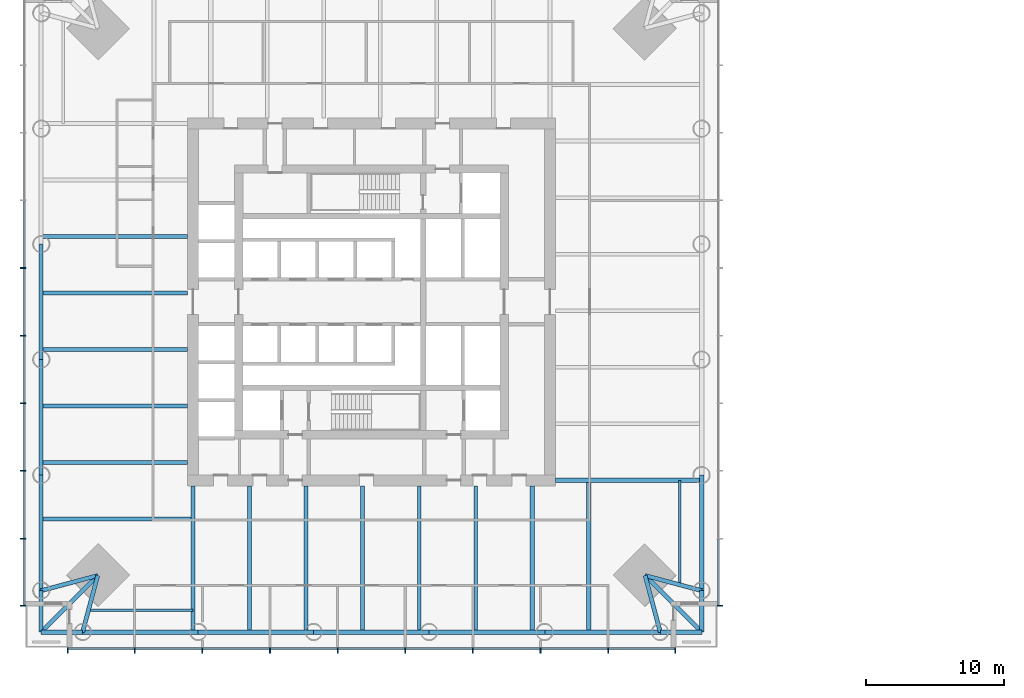
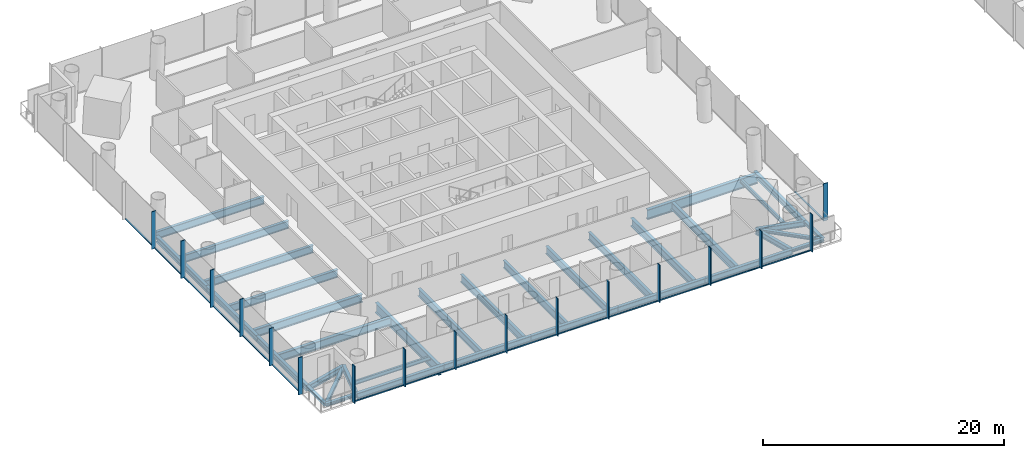
# One storey, part 2 of 19: 36 beams, 33 members, 3 elements without a shape of their own.
"""IFC4 building model written with IfcOpenShell, lengths in metres."""

from ifc_helpers import new_model, si_unit, direction, frame, origin, origin_2d, place, context, subcontext, project, spatial, rectangle, i_section, extrude, material, material_profile, profile_set, type_object, element, aggregate, save


model = new_model("IFC4")

# Units and contexts
model_context = context("Model", 3, precision=1e-05, world=origin(), true_north=direction((0.0, 1.0)))
body_context = subcontext(model_context, "Body", "Model", "MODEL_VIEW")
ifc_project = project(units=[si_unit("LENGTHUNIT", "METRE"), si_unit("AREAUNIT", "SQUARE_METRE"), si_unit("VOLUMEUNIT", "CUBIC_METRE"), si_unit("PLANEANGLEUNIT", "RADIAN"), si_unit("MASSUNIT", "GRAM", prefix="KILO")], contexts=[model_context])

# Site, building, storey
site_placement = place(None, origin())
site = spatial("IfcSite", under=ifc_project, at=site_placement, CompositionType="ELEMENT")
building_placement = place(site_placement, origin())
building = spatial("IfcBuilding", under=site, at=building_placement, Name="Ostroluk Exchange", CompositionType="ELEMENT")
storey_placement = place(building_placement, frame((0.0, 0.0, 24.800048828125)))
storey = spatial("IfcBuildingStorey", under=building, at=storey_placement, Name="L05", CompositionType="ELEMENT", Elevation=24.800048828125)

# Beams
ifc_material_1 = material(Name="Steel S355", Category="steel")
ifc_material_profile_1 = material_profile(ifc_material_1, i_section(OverallWidth=0.300048828125, OverallDepth=0.300048828125, WebThickness=0.010986328125, FlangeThickness=0.01904296875, FilletRadius=0.027099609375, at=origin_2d()), Name="HEB 300")
ifc_profile_set_1 = profile_set([ifc_material_profile_1], Name="Steel S355")
beam_type_1 = type_object("IfcBeamType", Name="Balcony beam HEB 300", PredefinedType="BEAM", material=ifc_profile_set_1)
for number, where, z_axis, x_axis, name in (
    (1, (21.121337890625, 25.121337890625, -0.330078125), (0.0, -1.0, 0.0), (1.0, 0.0, 0.0), "T1 west balcony beam a"),
    (2, (24.121337890625, 22.121337890625, -0.330078125), (-1.0, 0.0, 0.0), (0.0, -1.0, 0.0), "T1 west balcony beam b"),
):
    element("IfcBeam", number, at=place(storey_placement, frame(where, z_axis=z_axis, x_axis=x_axis)), inside=storey, type_object=beam_type_1, Name=name, PredefinedType="BEAM", context=body_context, shape_type="SweptSolid", body=[
        extrude(i_section(OverallWidth=0.300048828125, OverallDepth=0.300048828125, WebThickness=0.010986328125, FlangeThickness=0.01904296875, FilletRadius=0.027099609375, at=origin_2d()), origin(), (0.0, 0.0, 1.0), 3.0),
    ])
beam_1_placement = place(storey_placement, frame((25.221435546875, 26.221435546875, -0.330078125), z_axis=(-0.707106781187, -0.707106781187, 0.0), x_axis=(0.707106781187, -0.707106781187, 0.0)))
element("IfcBeam", 3, at=beam_1_placement, inside=storey, type_object=beam_type_1, Name="T1 west balcony beam c", PredefinedType="BEAM", context=body_context, shape_type="SweptSolid", body=[
    extrude(i_section(OverallWidth=0.300048828125, OverallDepth=0.300048828125, WebThickness=0.010986328125, FlangeThickness=0.01904296875, FilletRadius=0.027099609375, at=origin_2d()), origin(), (0.0, 0.0, 1.0), 5.79833984375),
])
for number, where, z_axis, x_axis, name in (
    (4, (65.878662109375, 22.121337890625, -0.330078125), (1.0, 0.0, 0.0), (0.0, 1.0, 0.0), "T1 south balcony beam a"),
    (5, (68.878662109375, 25.121337890625, -0.330078125), (0.0, -1.0, 0.0), (1.0, 0.0, 0.0), "T1 south balcony beam b"),
):
    element("IfcBeam", number, at=place(storey_placement, frame(where, z_axis=z_axis, x_axis=x_axis)), inside=storey, type_object=beam_type_1, Name=name, PredefinedType="BEAM", context=body_context, shape_type="SweptSolid", body=[
        extrude(i_section(OverallWidth=0.300048828125, OverallDepth=0.300048828125, WebThickness=0.010986328125, FlangeThickness=0.01904296875, FilletRadius=0.027099609375, at=origin_2d()), origin(), (0.0, 0.0, 1.0), 3.0),
    ])
beam_2_placement = place(storey_placement, frame((64.778564453125, 26.221435546875, -0.330078125), z_axis=(0.707106781187, -0.707106781187, 0.0), x_axis=(0.707106781187, 0.707106781187, 0.0)))
element("IfcBeam", 6, at=beam_2_placement, inside=storey, type_object=beam_type_1, Name="T1 south balcony beam c", PredefinedType="BEAM", context=body_context, shape_type="SweptSolid", body=[
    extrude(i_section(OverallWidth=0.300048828125, OverallDepth=0.300048828125, WebThickness=0.010986328125, FlangeThickness=0.01904296875, FilletRadius=0.027099609375, at=origin_2d()), origin(), (0.0, 0.0, 1.0), 5.79833984375),
])
ifc_material_2 = material(Name="Steel S355", Category="steel")
ifc_material_profile_2 = material_profile(ifc_material_2, i_section(OverallWidth=0.300048828125, OverallDepth=0.550048828125, WebThickness=0.014892578125, FlangeThickness=0.029052734375, FilletRadius=0.027099609375, at=origin_2d()), Name="HEB 550")
ifc_profile_set_2 = profile_set([ifc_material_profile_2], Name="Steel S355")
beam_type_2 = type_object("IfcBeamType", Name="Corner edge beam HEB 550", PredefinedType="SPANDREL", material=ifc_profile_set_2)
for number, where, z_axis, x_axis, name in (
    (7, (25.221435546875, 26.221435546875, -0.455078125), (-0.965838624319, -0.259144268261, 0.0), (0.259144268261, -0.965838624319, 0.0), "T1 west corner edge beam a"),
    (8, (25.221435546875, 26.221435546875, -0.455078125), (-0.259144268261, -0.965838624319, 0.0), (0.965838624319, -0.259144268261, 0.0), "T1 west corner edge beam b"),
    (9, (64.778564453125, 26.221435546875, -0.455078125), (0.259144268261, -0.965838624319, 0.0), (0.965838624319, 0.259144268261, 0.0), "T1 south corner edge beam a"),
    (10, (64.778564453125, 26.221435546875, -0.455078125), (0.965838624319, -0.259144268261, 0.0), (0.259144268261, 0.965838624319, 0.0), "T1 south corner edge beam b"),
):
    element("IfcBeam", number, at=place(storey_placement, frame(where, z_axis=z_axis, x_axis=x_axis)), inside=storey, type_object=beam_type_2, Name=name, PredefinedType="SPANDREL", context=body_context, shape_type="SweptSolid", body=[
        extrude(i_section(OverallWidth=0.300048828125, OverallDepth=0.550048828125, WebThickness=0.014892578125, FlangeThickness=0.029052734375, FilletRadius=0.027099609375, at=origin_2d()), origin(), (0.0, 0.0, 1.0), 4.2451171875),
    ])
ifc_material_3 = material(Name="Steel S355", Category="steel")
ifc_material_profile_3 = material_profile(ifc_material_3, i_section(OverallWidth=0.302978515625, OverallDepth=0.81396484375, WebThickness=0.02099609375, FlangeThickness=0.0400390625, FilletRadius=0.030029296875, at=origin_2d()), Name="HEM 800")
ifc_profile_set_3 = profile_set([ifc_material_profile_3], Name="Steel S355")
beam_type_3 = type_object("IfcBeamType", Name="Floor beam HEM 800", PredefinedType="BEAM", material=ifc_profile_set_3)
beam_3_placement = place(storey_placement, frame((31.699951171875, 34.380859375, -0.587158203125), z_axis=(-1.0, 0.0, 0.0), x_axis=(0.0, -1.0, 0.0)))
element("IfcBeam", 11, at=beam_3_placement, inside=storey, type_object=beam_type_3, Name="T1 west floor beam 6", PredefinedType="BEAM", context=body_context, shape_type="SweptSolid", body=[
    extrude(i_section(OverallWidth=0.302978515625, OverallDepth=0.81396484375, WebThickness=0.02099609375, FlangeThickness=0.0400390625, FilletRadius=0.030029296875, at=origin_2d()), origin(), (0.0, 0.0, 1.0), 10.57861328125),
])
beam_4_placement = place(storey_placement, frame((32.10009765625, 30.29443359375, -0.587158203125), z_axis=(-1.0, 0.0, 0.0), x_axis=(0.0, -1.0, 0.0)))
element("IfcBeam", 12, at=beam_4_placement, inside=storey, type_object=beam_type_3, Name="T1 west floor beam 7", PredefinedType="BEAM", context=body_context, shape_type="SweptSolid", body=[
    extrude(i_section(OverallWidth=0.302978515625, OverallDepth=0.81396484375, WebThickness=0.02099609375, FlangeThickness=0.0400390625, FilletRadius=0.030029296875, at=origin_2d()), origin(), (0.0, 0.0, 1.0), 10.978759765625),
])
beam_5_placement = place(storey_placement, frame((56.619140625, 32.699951171875, -0.587158203125), z_axis=(0.0, -1.0, 0.0), x_axis=(1.0, 0.0, 0.0)))
element("IfcBeam", 13, at=beam_5_placement, inside=storey, type_object=beam_type_3, Name="T1 south floor beam 6", PredefinedType="BEAM", context=body_context, shape_type="SweptSolid", body=[
    extrude(i_section(OverallWidth=0.302978515625, OverallDepth=0.81396484375, WebThickness=0.02099609375, FlangeThickness=0.0400390625, FilletRadius=0.030029296875, at=origin_2d()), origin(), (0.0, 0.0, 1.0), 10.57861328125),
])
beam_6_placement = place(storey_placement, frame((60.70556640625, 33.10009765625, -0.587158203125), z_axis=(0.0, -1.0, 0.0), x_axis=(1.0, 0.0, 0.0)))
element("IfcBeam", 14, at=beam_6_placement, inside=storey, type_object=beam_type_3, Name="T1 south floor beam 7", PredefinedType="BEAM", context=body_context, shape_type="SweptSolid", body=[
    extrude(i_section(OverallWidth=0.302978515625, OverallDepth=0.81396484375, WebThickness=0.02099609375, FlangeThickness=0.0400390625, FilletRadius=0.030029296875, at=origin_2d()), origin(), (0.0, 0.0, 1.0), 10.978759765625),
])
ifc_material_4 = material(Name="Steel S355", Category="steel")
ifc_material_profile_4 = material_profile(ifc_material_4, i_section(OverallWidth=0.179931640625, OverallDepth=0.39990234375, WebThickness=0.008544921875, FlangeThickness=0.013427734375, FilletRadius=0.02099609375, at=origin_2d()), Name="IPE 400")
ifc_profile_set_4 = profile_set([ifc_material_profile_4], Name="Steel S355")
beam_type_4 = type_object("IfcBeamType", Name="Floor beam IPE 400", PredefinedType="BEAM", material=ifc_profile_set_4)
for number, where, z_axis, x_axis, name in (
    (15, (32.10009765625, 23.721435546875, -0.380126953125), (-1.0, 0.0, 0.0), (0.0, -1.0, 0.0), "T1 west floor beam 8"),
    (16, (67.278564453125, 33.10009765625, -0.380126953125), (0.0, -1.0, 0.0), (1.0, 0.0, 0.0), "T1 south floor beam 8"),
):
    element("IfcBeam", number, at=place(storey_placement, frame(where, z_axis=z_axis, x_axis=x_axis)), inside=storey, type_object=beam_type_4, Name=name, PredefinedType="BEAM", context=body_context, shape_type="SweptSolid", body=[
        extrude(i_section(OverallWidth=0.179931640625, OverallDepth=0.39990234375, WebThickness=0.008544921875, FlangeThickness=0.013427734375, FilletRadius=0.02099609375, at=origin_2d()), origin(), (0.0, 0.0, 1.0), 7.54931640625),
    ])
ifc_material_5 = material(Name="Steel S355", Category="steel")
ifc_material_profile_5 = material_profile(ifc_material_5, i_section(OverallWidth=0.26806640625, OverallDepth=0.77001953125, WebThickness=0.015625, FlangeThickness=0.025390625, FilletRadius=0.01708984375, at=origin_2d()), Name="IPE 750x196")
ifc_profile_set_5 = profile_set([ifc_material_profile_5], Name="Steel S355")
beam_type_5 = type_object("IfcBeamType", Name="Floor beam IPE 750x196", PredefinedType="BEAM", material=ifc_profile_set_5)
for number, where, z_axis, x_axis, name in (
    (17, (31.699951171875, 50.72705078125, -0.56494140625), (-1.0, 0.0, 0.0), (0.0, -1.0, 0.0), "T1 west floor beam 2"),
    (18, (31.699951171875, 46.640380859375, -0.56494140625), (-1.0, 0.0, 0.0), (0.0, -1.0, 0.0), "T1 west floor beam 3"),
    (19, (31.699951171875, 42.553955078125, -0.56494140625), (-1.0, 0.0, 0.0), (0.0, -1.0, 0.0), "T1 west floor beam 4"),
    (20, (31.699951171875, 38.467529296875, -0.56494140625), (-1.0, 0.0, 0.0), (0.0, -1.0, 0.0), "T1 west floor beam 5"),
    (21, (36.1865234375, 32.699951171875, -0.56494140625), (0.0, -1.0, 0.0), (1.0, 0.0, 0.0), "T1 south floor beam 1"),
    (22, (40.27294921875, 32.699951171875, -0.56494140625), (0.0, -1.0, 0.0), (1.0, 0.0, 0.0), "T1 south floor beam 2"),
    (23, (44.359619140625, 32.699951171875, -0.56494140625), (0.0, -1.0, 0.0), (1.0, 0.0, 0.0), "T1 south floor beam 3"),
    (24, (48.446044921875, 32.699951171875, -0.56494140625), (0.0, -1.0, 0.0), (1.0, 0.0, 0.0), "T1 south floor beam 4"),
    (25, (52.532470703125, 32.699951171875, -0.56494140625), (0.0, -1.0, 0.0), (1.0, 0.0, 0.0), "T1 south floor beam 5"),
):
    element("IfcBeam", number, at=place(storey_placement, frame(where, z_axis=z_axis, x_axis=x_axis)), inside=storey, type_object=beam_type_5, Name=name, PredefinedType="BEAM", context=body_context, shape_type="SweptSolid", body=[
        extrude(i_section(OverallWidth=0.26806640625, OverallDepth=0.77001953125, WebThickness=0.015625, FlangeThickness=0.025390625, FilletRadius=0.01708984375, at=origin_2d()), origin(), (0.0, 0.0, 1.0), 10.57861328125),
    ])
ifc_material_6 = material(Name="Steel S355", Category="steel")
ifc_material_profile_6 = material_profile(ifc_material_6, i_section(OverallWidth=0.302001953125, OverallDepth=1.008056640625, WebThickness=0.02099609375, FlangeThickness=0.0400390625, FilletRadius=0.030029296875, at=origin_2d()), Name="HEM 1000")
ifc_profile_set_6 = profile_set([ifc_material_profile_6], Name="Steel S355")
beam_type_6 = type_object("IfcBeamType", Name="Girder HEM 1000", PredefinedType="BEAM", material=ifc_profile_set_6)
for number, where, z_axis, x_axis, name in (
    (26, (32.10009765625, 32.699951171875, -0.68408203125), (0.0, -1.0, 0.0), (1.0, 0.0, 0.0), "T1 west girder"),
    (27, (58.300048828125, 33.10009765625, -0.68408203125), (1.0, 0.0, 0.0), (0.0, 1.0, 0.0), "T1 south girder"),
):
    element("IfcBeam", number, at=place(storey_placement, frame(where, z_axis=z_axis, x_axis=x_axis)), inside=storey, type_object=beam_type_6, Name=name, PredefinedType="BEAM", context=body_context, shape_type="SweptSolid", body=[
        extrude(i_section(OverallWidth=0.302001953125, OverallDepth=1.008056640625, WebThickness=0.02099609375, FlangeThickness=0.0400390625, FilletRadius=0.030029296875, at=origin_2d()), origin(), (0.0, 0.0, 1.0), 10.57861328125),
    ])
ifc_material_7 = material(Name="Steel S355", Category="steel")
ifc_material_profile_7 = material_profile(ifc_material_7, i_section(OverallWidth=0.300048828125, OverallDepth=0.60009765625, WebThickness=0.015380859375, FlangeThickness=0.030029296875, FilletRadius=0.027099609375, at=origin_2d()), Name="HEB 600")
ifc_profile_set_7 = profile_set([ifc_material_profile_7], Name="Steel S355")
beam_type_7 = type_object("IfcBeamType", Name="Moment-connected edge beam HEB 600", PredefinedType="SPANDREL", material=ifc_profile_set_7)
for number, where, z_axis, x_axis, name in (
    (28, (68.878662109375, 25.121337890625, -0.47998046875), (0.0, 1.0, 0.0), (-1.0, 0.0, 0.0), "T1 east edge beam 1"),
    (29, (21.121337890625, 50.17578125, -0.47998046875), (0.0, -1.0, 0.0), (1.0, 0.0, 0.0), "T1 west edge beam 3"),
):
    element("IfcBeam", number, at=place(storey_placement, frame(where, z_axis=z_axis, x_axis=x_axis)), inside=storey, type_object=beam_type_7, Name=name, PredefinedType="SPANDREL", context=body_context, shape_type="SweptSolid", body=[
        extrude(i_section(OverallWidth=0.300048828125, OverallDepth=0.60009765625, WebThickness=0.015380859375, FlangeThickness=0.030029296875, FilletRadius=0.027099609375, at=origin_2d()), origin(), (0.0, 0.0, 1.0), 8.3515625),
    ])
beam_7_placement = place(storey_placement, frame((21.121337890625, 41.82421875, -0.47998046875), z_axis=(0.0, -1.0, 0.0), x_axis=(1.0, 0.0, 0.0)))
element("IfcBeam", 30, at=beam_7_placement, inside=storey, type_object=beam_type_7, Name="T1 west edge beam 4", PredefinedType="SPANDREL", context=body_context, shape_type="SweptSolid", body=[
    extrude(i_section(OverallWidth=0.300048828125, OverallDepth=0.60009765625, WebThickness=0.015380859375, FlangeThickness=0.030029296875, FilletRadius=0.027099609375, at=origin_2d()), origin(), (0.0, 0.0, 1.0), 8.351318359375),
])
for number, where, z_axis, x_axis, name in (
    (31, (21.121337890625, 33.472900390625, -0.47998046875), (0.0, -1.0, 0.0), (1.0, 0.0, 0.0), "T1 west edge beam 5"),
    (32, (24.121337890625, 22.121337890625, -0.47998046875), (1.0, 0.0, 0.0), (0.0, 1.0, 0.0), "T1 south edge beam 1"),
):
    element("IfcBeam", number, at=place(storey_placement, frame(where, z_axis=z_axis, x_axis=x_axis)), inside=storey, type_object=beam_type_7, Name=name, PredefinedType="SPANDREL", context=body_context, shape_type="SweptSolid", body=[
        extrude(i_section(OverallWidth=0.300048828125, OverallDepth=0.60009765625, WebThickness=0.015380859375, FlangeThickness=0.030029296875, FilletRadius=0.027099609375, at=origin_2d()), origin(), (0.0, 0.0, 1.0), 8.3515625),
    ])
beam_8_placement = place(storey_placement, frame((32.472900390625, 22.121337890625, -0.47998046875), z_axis=(1.0, 0.0, 0.0), x_axis=(0.0, 1.0, 0.0)))
element("IfcBeam", 33, at=beam_8_placement, inside=storey, type_object=beam_type_7, Name="T1 south edge beam 2", PredefinedType="SPANDREL", context=body_context, shape_type="SweptSolid", body=[
    extrude(i_section(OverallWidth=0.300048828125, OverallDepth=0.60009765625, WebThickness=0.015380859375, FlangeThickness=0.030029296875, FilletRadius=0.027099609375, at=origin_2d()), origin(), (0.0, 0.0, 1.0), 8.351318359375),
])
beam_9_placement = place(storey_placement, frame((40.82421875, 22.121337890625, -0.47998046875), z_axis=(1.0, 0.0, 0.0), x_axis=(0.0, 1.0, 0.0)))
element("IfcBeam", 34, at=beam_9_placement, inside=storey, type_object=beam_type_7, Name="T1 south edge beam 3", PredefinedType="SPANDREL", context=body_context, shape_type="SweptSolid", body=[
    extrude(i_section(OverallWidth=0.300048828125, OverallDepth=0.60009765625, WebThickness=0.015380859375, FlangeThickness=0.030029296875, FilletRadius=0.027099609375, at=origin_2d()), origin(), (0.0, 0.0, 1.0), 8.3515625),
])
beam_10_placement = place(storey_placement, frame((49.17578125, 22.121337890625, -0.47998046875), z_axis=(1.0, 0.0, 0.0), x_axis=(0.0, 1.0, 0.0)))
element("IfcBeam", 35, at=beam_10_placement, inside=storey, type_object=beam_type_7, Name="T1 south edge beam 4", PredefinedType="SPANDREL", context=body_context, shape_type="SweptSolid", body=[
    extrude(i_section(OverallWidth=0.300048828125, OverallDepth=0.60009765625, WebThickness=0.015380859375, FlangeThickness=0.030029296875, FilletRadius=0.027099609375, at=origin_2d()), origin(), (0.0, 0.0, 1.0), 8.351318359375),
])
beam_11_placement = place(storey_placement, frame((57.527099609375, 22.121337890625, -0.47998046875), z_axis=(1.0, 0.0, 0.0), x_axis=(0.0, 1.0, 0.0)))
element("IfcBeam", 36, at=beam_11_placement, inside=storey, type_object=beam_type_7, Name="T1 south edge beam 5", PredefinedType="SPANDREL", context=body_context, shape_type="SweptSolid", body=[
    extrude(i_section(OverallWidth=0.300048828125, OverallDepth=0.60009765625, WebThickness=0.015380859375, FlangeThickness=0.030029296875, FilletRadius=0.027099609375, at=origin_2d()), origin(), (0.0, 0.0, 1.0), 8.3515625),
])

# Curtain wall, members
ifc_material_8 = material(Name="Laminated clear glass", Category="glass")
curtain_wall_type = type_object("IfcCurtainWallType", Name="Office tower facade", PredefinedType="USERDEFINED", material=ifc_material_8)
curtain_wall_1_placement = place(storey_placement, origin())
curtain_wall_1 = element("IfcCurtainWall", 37, at=curtain_wall_1_placement, inside=storey, type_object=curtain_wall_type, Name="Office tower south facade L05", ObjectType="UNITISED CURTAIN WALL", PredefinedType="USERDEFINED")
ifc_material_9 = material(Name="Aluminium mullion", Category="aluminium")
ifc_material_profile_8 = material_profile(ifc_material_9, rectangle(XDim=0.14990234375, YDim=0.080078125, at=origin_2d()), Name="Sill transom 80 x 150")
ifc_profile_set_8 = profile_set([ifc_material_profile_8], Name="Aluminium mullion")
member_type_1 = type_object("IfcMemberType", Name="Sill transom 80 x 150", PredefinedType="USERDEFINED", material=ifc_profile_set_8)
member_1_placement = place(storey_placement, frame((23.080078125, 20.925048828125, 0.0400390625), z_axis=(1.0, 0.0, 0.0), x_axis=(0.0, 1.0, 0.0)))
member_1 = element("IfcMember", 38, at=member_1_placement, type_object=member_type_1, Name="CW-O1 transom 1.1", ObjectType="TRANSOM", PredefinedType="USERDEFINED", context=body_context, shape_type="SweptSolid", body=[
    extrude(rectangle(XDim=0.14990234375, YDim=0.080078125, at=origin_2d()), origin(), (0.0, 0.0, 1.0), 4.768798828125),
])
member_2_placement = place(storey_placement, frame((27.928955078125, 20.925048828125, 0.0400390625), z_axis=(1.0, 0.0, 0.0), x_axis=(0.0, 1.0, 0.0)))
member_2 = element("IfcMember", 39, at=member_2_placement, type_object=member_type_1, Name="CW-O1 transom 2.1", ObjectType="TRANSOM", PredefinedType="USERDEFINED", context=body_context, shape_type="SweptSolid", body=[
    extrude(rectangle(XDim=0.14990234375, YDim=0.080078125, at=origin_2d()), origin(), (0.0, 0.0, 1.0), 4.808837890625),
])
member_3_placement = place(storey_placement, frame((32.81787109375, 20.925048828125, 0.0400390625), z_axis=(1.0, 0.0, 0.0), x_axis=(0.0, 1.0, 0.0)))
member_3 = element("IfcMember", 40, at=member_3_placement, type_object=member_type_1, Name="CW-O1 transom 3.1", ObjectType="TRANSOM", PredefinedType="USERDEFINED", context=body_context, shape_type="SweptSolid", body=[
    extrude(rectangle(XDim=0.14990234375, YDim=0.080078125, at=origin_2d()), origin(), (0.0, 0.0, 1.0), 4.808837890625),
])
member_4_placement = place(storey_placement, frame((37.706787109375, 20.925048828125, 0.0400390625), z_axis=(1.0, 0.0, 0.0), x_axis=(0.0, 1.0, 0.0)))
member_4 = element("IfcMember", 41, at=member_4_placement, type_object=member_type_1, Name="CW-O1 transom 4.1", ObjectType="TRANSOM", PredefinedType="USERDEFINED", context=body_context, shape_type="SweptSolid", body=[
    extrude(rectangle(XDim=0.14990234375, YDim=0.080078125, at=origin_2d()), origin(), (0.0, 0.0, 1.0), 4.808837890625),
])
member_5_placement = place(storey_placement, frame((42.595458984375, 20.925048828125, 0.0400390625), z_axis=(1.0, 0.0, 0.0), x_axis=(0.0, 1.0, 0.0)))
member_5 = element("IfcMember", 42, at=member_5_placement, type_object=member_type_1, Name="CW-O1 transom 5.1", ObjectType="TRANSOM", PredefinedType="USERDEFINED", context=body_context, shape_type="SweptSolid", body=[
    extrude(rectangle(XDim=0.14990234375, YDim=0.080078125, at=origin_2d()), origin(), (0.0, 0.0, 1.0), 4.80908203125),
])
member_6_placement = place(storey_placement, frame((47.484375, 20.925048828125, 0.0400390625), z_axis=(1.0, 0.0, 0.0), x_axis=(0.0, 1.0, 0.0)))
member_6 = element("IfcMember", 43, at=member_6_placement, type_object=member_type_1, Name="CW-O1 transom 6.1", ObjectType="TRANSOM", PredefinedType="USERDEFINED", context=body_context, shape_type="SweptSolid", body=[
    extrude(rectangle(XDim=0.14990234375, YDim=0.080078125, at=origin_2d()), origin(), (0.0, 0.0, 1.0), 4.808837890625),
])
member_7_placement = place(storey_placement, frame((52.373291015625, 20.925048828125, 0.0400390625), z_axis=(1.0, 0.0, 0.0), x_axis=(0.0, 1.0, 0.0)))
member_7 = element("IfcMember", 44, at=member_7_placement, type_object=member_type_1, Name="CW-O1 transom 7.1", ObjectType="TRANSOM", PredefinedType="USERDEFINED", context=body_context, shape_type="SweptSolid", body=[
    extrude(rectangle(XDim=0.14990234375, YDim=0.080078125, at=origin_2d()), origin(), (0.0, 0.0, 1.0), 4.808837890625),
])
member_8_placement = place(storey_placement, frame((57.26220703125, 20.925048828125, 0.0400390625), z_axis=(1.0, 0.0, 0.0), x_axis=(0.0, 1.0, 0.0)))
member_8 = element("IfcMember", 45, at=member_8_placement, type_object=member_type_1, Name="CW-O1 transom 8.1", ObjectType="TRANSOM", PredefinedType="USERDEFINED", context=body_context, shape_type="SweptSolid", body=[
    extrude(rectangle(XDim=0.14990234375, YDim=0.080078125, at=origin_2d()), origin(), (0.0, 0.0, 1.0), 4.808837890625),
])
member_9_placement = place(storey_placement, frame((62.151123046875, 20.925048828125, 0.0400390625), z_axis=(1.0, 0.0, 0.0), x_axis=(0.0, 1.0, 0.0)))
member_9 = element("IfcMember", 46, at=member_9_placement, type_object=member_type_1, Name="CW-O1 transom 9.1", ObjectType="TRANSOM", PredefinedType="USERDEFINED", context=body_context, shape_type="SweptSolid", body=[
    extrude(rectangle(XDim=0.14990234375, YDim=0.080078125, at=origin_2d()), origin(), (0.0, 0.0, 1.0), 4.768798828125),
])

# Curtain wall, member
curtain_wall_2_placement = place(storey_placement, origin())
curtain_wall_2 = element("IfcCurtainWall", 47, at=curtain_wall_2_placement, inside=storey, type_object=curtain_wall_type, Name="Office tower east facade L05", ObjectType="UNITISED CURTAIN WALL", PredefinedType="USERDEFINED")
member_10_placement = place(storey_placement, frame((70.074951171875, 24.080078125, 0.0400390625), z_axis=(0.0, 1.0, 0.0), x_axis=(-1.0, 0.0, 0.0)))
member_10 = element("IfcMember", 48, at=member_10_placement, type_object=member_type_1, Name="CW-O1 transom 1.1", ObjectType="TRANSOM", PredefinedType="USERDEFINED", context=body_context, shape_type="SweptSolid", body=[
    extrude(rectangle(XDim=0.14990234375, YDim=0.080078125, at=origin_2d()), origin(), (0.0, 0.0, 1.0), 4.768798828125),
])

# Curtain wall, members
curtain_wall_3_placement = place(storey_placement, origin())
curtain_wall_3 = element("IfcCurtainWall", 49, at=curtain_wall_3_placement, inside=storey, type_object=curtain_wall_type, Name="Office tower west facade L05", ObjectType="UNITISED CURTAIN WALL", PredefinedType="USERDEFINED")
member_11_placement = place(storey_placement, frame((19.925048828125, 53.293212890625, 0.0400390625), z_axis=(0.0, -1.0, 0.0), x_axis=(1.0, 0.0, 0.0)))
member_11 = element("IfcMember", 50, at=member_11_placement, type_object=member_type_1, Name="CW-O1 transom 4.1", ObjectType="TRANSOM", PredefinedType="USERDEFINED", context=body_context, shape_type="SweptSolid", body=[
    extrude(rectangle(XDim=0.14990234375, YDim=0.080078125, at=origin_2d()), origin(), (0.0, 0.0, 1.0), 4.808837890625),
])
member_12_placement = place(storey_placement, frame((19.925048828125, 48.404541015625, 0.0400390625), z_axis=(0.0, -1.0, 0.0), x_axis=(1.0, 0.0, 0.0)))
member_12 = element("IfcMember", 51, at=member_12_placement, type_object=member_type_1, Name="CW-O1 transom 5.1", ObjectType="TRANSOM", PredefinedType="USERDEFINED", context=body_context, shape_type="SweptSolid", body=[
    extrude(rectangle(XDim=0.14990234375, YDim=0.080078125, at=origin_2d()), origin(), (0.0, 0.0, 1.0), 4.80908203125),
])
member_13_placement = place(storey_placement, frame((19.925048828125, 43.515625, 0.0400390625), z_axis=(0.0, -1.0, 0.0), x_axis=(1.0, 0.0, 0.0)))
member_13 = element("IfcMember", 52, at=member_13_placement, type_object=member_type_1, Name="CW-O1 transom 6.1", ObjectType="TRANSOM", PredefinedType="USERDEFINED", context=body_context, shape_type="SweptSolid", body=[
    extrude(rectangle(XDim=0.14990234375, YDim=0.080078125, at=origin_2d()), origin(), (0.0, 0.0, 1.0), 4.808837890625),
])
member_14_placement = place(storey_placement, frame((19.925048828125, 38.626708984375, 0.0400390625), z_axis=(0.0, -1.0, 0.0), x_axis=(1.0, 0.0, 0.0)))
member_14 = element("IfcMember", 53, at=member_14_placement, type_object=member_type_1, Name="CW-O1 transom 7.1", ObjectType="TRANSOM", PredefinedType="USERDEFINED", context=body_context, shape_type="SweptSolid", body=[
    extrude(rectangle(XDim=0.14990234375, YDim=0.080078125, at=origin_2d()), origin(), (0.0, 0.0, 1.0), 4.808837890625),
])
member_15_placement = place(storey_placement, frame((19.925048828125, 33.73779296875, 0.0400390625), z_axis=(0.0, -1.0, 0.0), x_axis=(1.0, 0.0, 0.0)))
member_15 = element("IfcMember", 54, at=member_15_placement, type_object=member_type_1, Name="CW-O1 transom 8.1", ObjectType="TRANSOM", PredefinedType="USERDEFINED", context=body_context, shape_type="SweptSolid", body=[
    extrude(rectangle(XDim=0.14990234375, YDim=0.080078125, at=origin_2d()), origin(), (0.0, 0.0, 1.0), 4.808837890625),
])
member_16_placement = place(storey_placement, frame((19.925048828125, 28.848876953125, 0.0400390625), z_axis=(0.0, -1.0, 0.0), x_axis=(1.0, 0.0, 0.0)))
member_16 = element("IfcMember", 55, at=member_16_placement, type_object=member_type_1, Name="CW-O1 transom 9.1", ObjectType="TRANSOM", PredefinedType="USERDEFINED", context=body_context, shape_type="SweptSolid", body=[
    extrude(rectangle(XDim=0.14990234375, YDim=0.080078125, at=origin_2d()), origin(), (0.0, 0.0, 1.0), 4.768798828125),
])

# Member
ifc_material_10 = material(Name="Aluminium mullion with limestone facing", Category="masonry")
ifc_material_profile_9 = material_profile(ifc_material_10, rectangle(XDim=0.39990234375, YDim=0.080078125, at=origin_2d()), Name="Tracery mullion 80 x 400")
ifc_profile_set_9 = profile_set([ifc_material_profile_9], Name="Aluminium mullion with limestone facing")
member_type_2 = type_object("IfcMemberType", Name="Tracery mullion 80 x 400", PredefinedType="MULLION", material=ifc_profile_set_9)
member_17_placement = place(storey_placement, frame((23.0400390625, 20.800048828125, 0.0), z_axis=(0.0, 0.0, 1.0), x_axis=(0.0, 1.0, 0.0)))
member_17 = element("IfcMember", 56, at=member_17_placement, type_object=member_type_2, Name="CW-O1 mullion 1", PredefinedType="MULLION", context=body_context, shape_type="SweptSolid", body=[
    extrude(rectangle(XDim=0.39990234375, YDim=0.080078125, at=origin_2d()), origin(), (0.0, 0.0, 1.0), 3.800048828125),
])

member_18_placement = place(storey_placement, frame((27.888916015625, 20.800048828125, 0.0), z_axis=(0.0, 0.0, 1.0), x_axis=(0.0, 1.0, 0.0)))
member_18 = element("IfcMember", 57, at=member_18_placement, type_object=member_type_2, Name="CW-O1 mullion 2", PredefinedType="MULLION", context=body_context, shape_type="SweptSolid", body=[
    extrude(rectangle(XDim=0.39990234375, YDim=0.080078125, at=origin_2d()), origin(), (0.0, 0.0, 1.0), 3.800048828125),
])

member_19_placement = place(storey_placement, frame((32.77783203125, 20.800048828125, 0.0), z_axis=(0.0, 0.0, 1.0), x_axis=(0.0, 1.0, 0.0)))
member_19 = element("IfcMember", 58, at=member_19_placement, type_object=member_type_2, Name="CW-O1 mullion 3", PredefinedType="MULLION", context=body_context, shape_type="SweptSolid", body=[
    extrude(rectangle(XDim=0.39990234375, YDim=0.080078125, at=origin_2d()), origin(), (0.0, 0.0, 1.0), 3.800048828125),
])

member_20_placement = place(storey_placement, frame((37.666748046875, 20.800048828125, 0.0), z_axis=(0.0, 0.0, 1.0), x_axis=(0.0, 1.0, 0.0)))
member_20 = element("IfcMember", 59, at=member_20_placement, type_object=member_type_2, Name="CW-O1 mullion 4", PredefinedType="MULLION", context=body_context, shape_type="SweptSolid", body=[
    extrude(rectangle(XDim=0.39990234375, YDim=0.080078125, at=origin_2d()), origin(), (0.0, 0.0, 1.0), 3.800048828125),
])

member_21_placement = place(storey_placement, frame((42.5556640625, 20.800048828125, 0.0), z_axis=(0.0, 0.0, 1.0), x_axis=(0.0, 1.0, 0.0)))
member_21 = element("IfcMember", 60, at=member_21_placement, type_object=member_type_2, Name="CW-O1 mullion 5", PredefinedType="MULLION", context=body_context, shape_type="SweptSolid", body=[
    extrude(rectangle(XDim=0.39990234375, YDim=0.080078125, at=origin_2d()), origin(), (0.0, 0.0, 1.0), 3.800048828125),
])

member_22_placement = place(storey_placement, frame((47.4443359375, 20.800048828125, 0.0), z_axis=(0.0, 0.0, 1.0), x_axis=(0.0, 1.0, 0.0)))
member_22 = element("IfcMember", 61, at=member_22_placement, type_object=member_type_2, Name="CW-O1 mullion 6", PredefinedType="MULLION", context=body_context, shape_type="SweptSolid", body=[
    extrude(rectangle(XDim=0.39990234375, YDim=0.080078125, at=origin_2d()), origin(), (0.0, 0.0, 1.0), 3.800048828125),
])

member_23_placement = place(storey_placement, frame((52.333251953125, 20.800048828125, 0.0), z_axis=(0.0, 0.0, 1.0), x_axis=(0.0, 1.0, 0.0)))
member_23 = element("IfcMember", 62, at=member_23_placement, type_object=member_type_2, Name="CW-O1 mullion 7", PredefinedType="MULLION", context=body_context, shape_type="SweptSolid", body=[
    extrude(rectangle(XDim=0.39990234375, YDim=0.080078125, at=origin_2d()), origin(), (0.0, 0.0, 1.0), 3.800048828125),
])

member_24_placement = place(storey_placement, frame((57.22216796875, 20.800048828125, 0.0), z_axis=(0.0, 0.0, 1.0), x_axis=(0.0, 1.0, 0.0)))
member_24 = element("IfcMember", 63, at=member_24_placement, type_object=member_type_2, Name="CW-O1 mullion 8", PredefinedType="MULLION", context=body_context, shape_type="SweptSolid", body=[
    extrude(rectangle(XDim=0.39990234375, YDim=0.080078125, at=origin_2d()), origin(), (0.0, 0.0, 1.0), 3.800048828125),
])

member_25_placement = place(storey_placement, frame((62.111083984375, 20.800048828125, 0.0), z_axis=(0.0, 0.0, 1.0), x_axis=(0.0, 1.0, 0.0)))
member_25 = element("IfcMember", 64, at=member_25_placement, type_object=member_type_2, Name="CW-O1 mullion 9", PredefinedType="MULLION", context=body_context, shape_type="SweptSolid", body=[
    extrude(rectangle(XDim=0.39990234375, YDim=0.080078125, at=origin_2d()), origin(), (0.0, 0.0, 1.0), 3.800048828125),
])

member_26_placement = place(storey_placement, frame((66.9599609375, 20.800048828125, 0.0), z_axis=(0.0, 0.0, 1.0), x_axis=(0.0, 1.0, 0.0)))
member_26 = element("IfcMember", 65, at=member_26_placement, type_object=member_type_2, Name="CW-O1 mullion 10", PredefinedType="MULLION", context=body_context, shape_type="SweptSolid", body=[
    extrude(rectangle(XDim=0.39990234375, YDim=0.080078125, at=origin_2d()), origin(), (0.0, 0.0, 1.0), 3.800048828125),
])

aggregate(curtain_wall_1, [member_17, member_18, member_19, member_20, member_21, member_22, member_23, member_24, member_25, member_26, member_1, member_2, member_3, member_4, member_5, member_6, member_7, member_8, member_9])

member_27_placement = place(storey_placement, frame((70.199951171875, 24.0400390625, 0.0), z_axis=(0.0, 0.0, 1.0), x_axis=(-1.0, 0.0, 0.0)))
member_27 = element("IfcMember", 66, at=member_27_placement, type_object=member_type_2, Name="CW-O1 mullion 1", PredefinedType="MULLION", context=body_context, shape_type="SweptSolid", body=[
    extrude(rectangle(XDim=0.39990234375, YDim=0.080078125, at=origin_2d()), origin(), (0.0, 0.0, 1.0), 3.800048828125),
])

aggregate(curtain_wall_2, [member_27, member_10])

member_28_placement = place(storey_placement, frame((19.800048828125, 48.4443359375, 0.0), z_axis=(0.0, 0.0, 1.0), x_axis=(1.0, 0.0, 0.0)))
member_28 = element("IfcMember", 67, at=member_28_placement, type_object=member_type_2, Name="CW-O1 mullion 5", PredefinedType="MULLION", context=body_context, shape_type="SweptSolid", body=[
    extrude(rectangle(XDim=0.39990234375, YDim=0.080078125, at=origin_2d()), origin(), (0.0, 0.0, 1.0), 3.800048828125),
])

member_29_placement = place(storey_placement, frame((19.800048828125, 43.5556640625, 0.0), z_axis=(0.0, 0.0, 1.0), x_axis=(1.0, 0.0, 0.0)))
member_29 = element("IfcMember", 68, at=member_29_placement, type_object=member_type_2, Name="CW-O1 mullion 6", PredefinedType="MULLION", context=body_context, shape_type="SweptSolid", body=[
    extrude(rectangle(XDim=0.39990234375, YDim=0.080078125, at=origin_2d()), origin(), (0.0, 0.0, 1.0), 3.800048828125),
])

member_30_placement = place(storey_placement, frame((19.800048828125, 38.666748046875, 0.0), z_axis=(0.0, 0.0, 1.0), x_axis=(1.0, 0.0, 0.0)))
member_30 = element("IfcMember", 69, at=member_30_placement, type_object=member_type_2, Name="CW-O1 mullion 7", PredefinedType="MULLION", context=body_context, shape_type="SweptSolid", body=[
    extrude(rectangle(XDim=0.39990234375, YDim=0.080078125, at=origin_2d()), origin(), (0.0, 0.0, 1.0), 3.800048828125),
])

member_31_placement = place(storey_placement, frame((19.800048828125, 33.77783203125, 0.0), z_axis=(0.0, 0.0, 1.0), x_axis=(1.0, 0.0, 0.0)))
member_31 = element("IfcMember", 70, at=member_31_placement, type_object=member_type_2, Name="CW-O1 mullion 8", PredefinedType="MULLION", context=body_context, shape_type="SweptSolid", body=[
    extrude(rectangle(XDim=0.39990234375, YDim=0.080078125, at=origin_2d()), origin(), (0.0, 0.0, 1.0), 3.800048828125),
])

member_32_placement = place(storey_placement, frame((19.800048828125, 28.888916015625, 0.0), z_axis=(0.0, 0.0, 1.0), x_axis=(1.0, 0.0, 0.0)))
member_32 = element("IfcMember", 71, at=member_32_placement, type_object=member_type_2, Name="CW-O1 mullion 9", PredefinedType="MULLION", context=body_context, shape_type="SweptSolid", body=[
    extrude(rectangle(XDim=0.39990234375, YDim=0.080078125, at=origin_2d()), origin(), (0.0, 0.0, 1.0), 3.800048828125),
])

member_33_placement = place(storey_placement, frame((19.800048828125, 24.0400390625, 0.0), z_axis=(0.0, 0.0, 1.0), x_axis=(1.0, 0.0, 0.0)))
member_33 = element("IfcMember", 72, at=member_33_placement, type_object=member_type_2, Name="CW-O1 mullion 10", PredefinedType="MULLION", context=body_context, shape_type="SweptSolid", body=[
    extrude(rectangle(XDim=0.39990234375, YDim=0.080078125, at=origin_2d()), origin(), (0.0, 0.0, 1.0), 3.800048828125),
])

aggregate(curtain_wall_3, [member_28, member_29, member_30, member_31, member_32, member_33, member_11, member_12, member_13, member_14, member_15, member_16])

save(model, "model.ifc")
